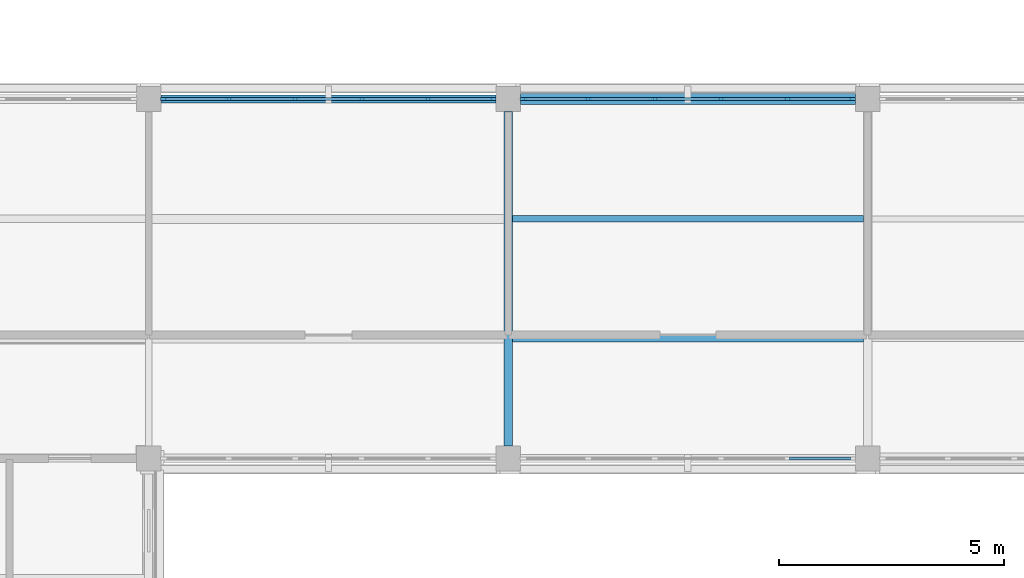
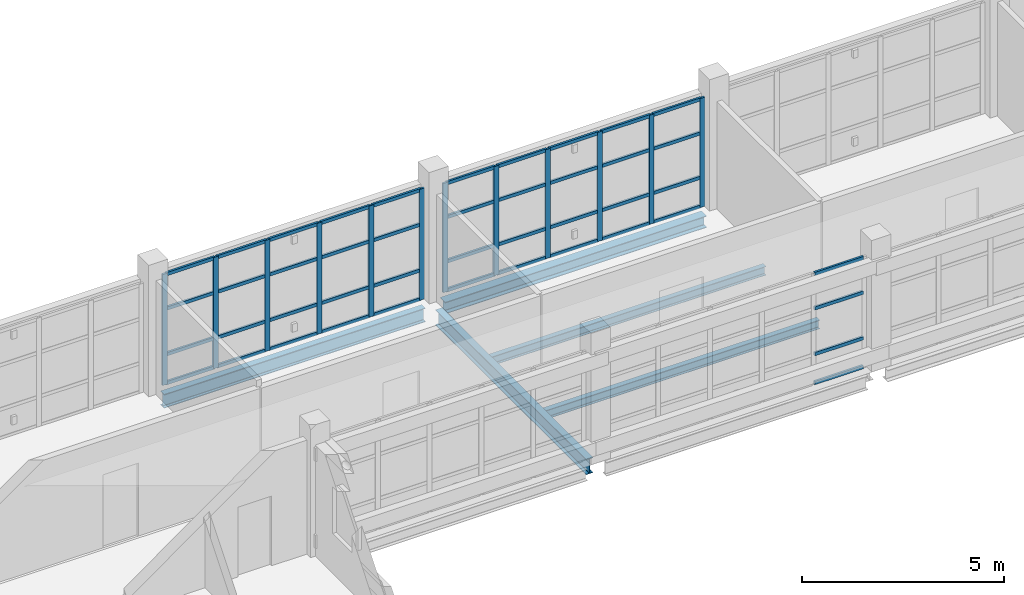
# One storey, part 9 of 92: 56 members, 5 beams, 3 elements without a shape of their own.
"""IFC4 building model written with IfcOpenShell, lengths in metres."""

from ifc_helpers import new_model, si_unit, derived_unit, direction, frame, origin, origin_2d, place, context, subcontext, project, spatial, rectangle, i_section, extrude, material, layer, layer_set, material_profile, profile_set, type_object, element, aggregate, save


model = new_model("IFC4")

# Units and contexts
model_context = context("Model", 3, precision=1e-05, world=origin(), true_north=direction((0.0, 1.0)))
body_context = subcontext(model_context, "Body", "Model", "MODEL_VIEW")
ifc_project = project(units=[si_unit("LENGTHUNIT", "METRE"), si_unit("AREAUNIT", "SQUARE_METRE"), si_unit("VOLUMEUNIT", "CUBIC_METRE"), si_unit("PLANEANGLEUNIT", "RADIAN"), si_unit("MASSUNIT", "GRAM", prefix="KILO"), derived_unit("THERMALTRANSMITTANCEUNIT", [(si_unit("MASSUNIT", "GRAM", prefix="KILO"), 1), (si_unit("TIMEUNIT", "SECOND"), -3), (si_unit("THERMODYNAMICTEMPERATUREUNIT", "KELVIN"), -1)])], contexts=[model_context])

# Site, building, storey
site_placement = place(None, origin())
site = spatial("IfcSite", under=ifc_project, at=site_placement, CompositionType="ELEMENT")
building_placement = place(site_placement, origin())
building = spatial("IfcBuilding", under=site, at=building_placement, Name="Veyamyaing Civic Hall", CompositionType="ELEMENT")
storey_placement = place(building_placement, frame((0.0, 0.0, 17.820068359375)))
storey = spatial("IfcBuildingStorey", under=building, at=storey_placement, Name="L04", CompositionType="ELEMENT", Elevation=17.820068359375)

# Beams
ifc_material_1 = material(Name="Steel ASTM A992", Category="steel")
ifc_material_profile_1 = material_profile(ifc_material_1, i_section(OverallWidth=0.19189453125, OverallDepth=0.462890625, WebThickness=0.010498046875, FlangeThickness=0.017578125, FilletRadius=0.010009765625, at=origin_2d()), Name="W460X89")
ifc_profile_set_1 = profile_set([ifc_material_profile_1], Name="Steel ASTM A992")
beam_type_1 = type_object("IfcBeamType", Name="B-08", PredefinedType="BEAM", material=ifc_profile_set_1)
beam_1_placement = place(storey_placement, frame((24.0, 48.27490234375, -0.466552734375), z_axis=(0.0, 1.0, 0.0), x_axis=(-1.0, 0.0, 0.0)))
element("IfcBeam", 1, at=beam_1_placement, inside=storey, type_object=beam_type_1, Name="Girder B-08 L04 Grid 4 G-H", PredefinedType="BEAM", context=body_context, shape_type="SweptSolid", body=[
    extrude(i_section(OverallWidth=0.19189453125, OverallDepth=0.462890625, WebThickness=0.010498046875, FlangeThickness=0.017578125, FilletRadius=0.010009765625, at=origin_2d()), origin(), (0.0, 0.0, 1.0), 7.4501953125),
])
ifc_material_profile_2 = material_profile(ifc_material_1, i_section(OverallWidth=0.180908203125, OverallDepth=0.4169921875, WebThickness=0.010986328125, FlangeThickness=0.018310546875, FilletRadius=0.010009765625, at=origin_2d()), Name="W410X85")
ifc_profile_set_2 = profile_set([ifc_material_profile_2], Name="Steel ASTM A992")
beam_type_2 = type_object("IfcBeamType", Name="B-19", PredefinedType="SPANDREL", material=ifc_profile_set_2)
beam_2_placement = place(storey_placement, frame((16.27490234375, 56.0, -0.443603515625), z_axis=(1.0, 0.0, 0.0), x_axis=(0.0, 1.0, 0.0)))
element("IfcBeam", 2, at=beam_2_placement, inside=storey, type_object=beam_type_2, Name="Girder B-19 L04 Grid H 3-4", PredefinedType="SPANDREL", context=body_context, shape_type="SweptSolid", body=[
    extrude(i_section(OverallWidth=0.180908203125, OverallDepth=0.4169921875, WebThickness=0.010986328125, FlangeThickness=0.018310546875, FilletRadius=0.010009765625, at=origin_2d()), origin(), (0.0, 0.0, 1.0), 7.4501953125),
])
ifc_material_profile_3 = material_profile(ifc_material_1, i_section(OverallWidth=0.25390625, OverallDepth=0.35302734375, WebThickness=0.009521484375, FlangeThickness=0.016357421875, FilletRadius=0.011962890625, at=origin_2d()), Name="W360X91")
ifc_profile_set_3 = profile_set([ifc_material_profile_3], Name="Steel ASTM A992")
beam_type_3 = type_object("IfcBeamType", Name="B-20", PredefinedType="SPANDREL", material=ifc_profile_set_3)
beam_3_placement = place(storey_placement, frame((24.27490234375, 56.0, -0.41162109375), z_axis=(1.0, 0.0, 0.0), x_axis=(0.0, 1.0, 0.0)))
element("IfcBeam", 3, at=beam_3_placement, inside=storey, type_object=beam_type_3, Name="Girder B-20 L04 Grid H 4-5", PredefinedType="SPANDREL", context=body_context, shape_type="SweptSolid", body=[
    extrude(i_section(OverallWidth=0.25390625, OverallDepth=0.35302734375, WebThickness=0.009521484375, FlangeThickness=0.016357421875, FilletRadius=0.011962890625, at=origin_2d()), origin(), (0.0, 0.0, 1.0), 7.4501953125),
])

# Curtain wall, members
ifc_material_2 = material(Name="Anodised aluminium 6063-T6", Category="aluminium")
ifc_layer = layer(ifc_material_2, 0.139892578125, Name="Anodised aluminium 6063-T6")
ifc_layer_set = layer_set([ifc_layer], Name="Anodised aluminium 6063-T6")
curtain_wall_type = type_object("IfcCurtainWallType", Name="CW-04", PredefinedType="NOTDEFINED", material=ifc_layer_set)
curtain_wall_1_placement = place(storey_placement, origin())
curtain_wall_1 = element("IfcCurtainWall", 4, at=curtain_wall_1_placement, inside=storey, type_object=curtain_wall_type, Name="Unitized curtain wall CW-04 L04 N 3.7", PredefinedType="NOTDEFINED")
ifc_material_profile_4 = material_profile(ifc_material_2, rectangle(XDim=0.06005859375, YDim=0.139892578125, at=origin_2d()), Name="ALU-MUL-60X140")
ifc_profile_set_4 = profile_set([ifc_material_profile_4], Name="Anodised aluminium 6063-T6")
member_type_1 = type_object("IfcMemberType", Name="CWM-03", PredefinedType="MULLION", material=ifc_profile_set_4)
member_1_placement = place(storey_placement, frame((16.3349609375, 56.0, 0.0), z_axis=(0.0, 0.0, 1.0), x_axis=(0.0, 1.0, 0.0)))
member_1 = element("IfcMember", 5, at=member_1_placement, type_object=member_type_1, Name="CW-04 mullion 1", PredefinedType="MULLION", context=body_context, shape_type="SweptSolid", body=[
    extrude(rectangle(XDim=0.06005859375, YDim=0.139892578125, at=origin_2d()), origin(), (0.0, 0.0, 1.0), 3.348876953125),
])
member_2_placement = place(storey_placement, frame((17.782958984375, 56.0, 0.0), z_axis=(0.0, 0.0, 1.0), x_axis=(0.0, 1.0, 0.0)))
member_2 = element("IfcMember", 6, at=member_2_placement, type_object=member_type_1, Name="CW-04 mullion 2", PredefinedType="MULLION", context=body_context, shape_type="SweptSolid", body=[
    extrude(rectangle(XDim=0.06005859375, YDim=0.139892578125, at=origin_2d()), origin(), (0.0, 0.0, 1.0), 3.348876953125),
])
member_3_placement = place(storey_placement, frame((19.260986328125, 56.0, 0.0), z_axis=(0.0, 0.0, 1.0), x_axis=(0.0, 1.0, 0.0)))
member_3 = element("IfcMember", 7, at=member_3_placement, type_object=member_type_1, Name="CW-04 mullion 3", PredefinedType="MULLION", context=body_context, shape_type="SweptSolid", body=[
    extrude(rectangle(XDim=0.06005859375, YDim=0.139892578125, at=origin_2d()), origin(), (0.0, 0.0, 1.0), 3.348876953125),
])
member_4_placement = place(storey_placement, frame((20.739013671875, 56.0, 0.0), z_axis=(0.0, 0.0, 1.0), x_axis=(0.0, 1.0, 0.0)))
member_4 = element("IfcMember", 8, at=member_4_placement, type_object=member_type_1, Name="CW-04 mullion 4", PredefinedType="MULLION", context=body_context, shape_type="SweptSolid", body=[
    extrude(rectangle(XDim=0.06005859375, YDim=0.139892578125, at=origin_2d()), origin(), (0.0, 0.0, 1.0), 3.348876953125),
])
member_5_placement = place(storey_placement, frame((22.217041015625, 56.0, 0.0), z_axis=(0.0, 0.0, 1.0), x_axis=(0.0, 1.0, 0.0)))
member_5 = element("IfcMember", 9, at=member_5_placement, type_object=member_type_1, Name="CW-04 mullion 5", PredefinedType="MULLION", context=body_context, shape_type="SweptSolid", body=[
    extrude(rectangle(XDim=0.06005859375, YDim=0.139892578125, at=origin_2d()), origin(), (0.0, 0.0, 1.0), 3.348876953125),
])
member_6_placement = place(storey_placement, frame((23.6650390625, 56.0, 0.0), z_axis=(0.0, 0.0, 1.0), x_axis=(0.0, 1.0, 0.0)))
member_6 = element("IfcMember", 10, at=member_6_placement, type_object=member_type_1, Name="CW-04 mullion 6", PredefinedType="MULLION", context=body_context, shape_type="SweptSolid", body=[
    extrude(rectangle(XDim=0.06005859375, YDim=0.139892578125, at=origin_2d()), origin(), (0.0, 0.0, 1.0), 3.348876953125),
])

curtain_wall_2_placement = place(storey_placement, origin())
curtain_wall_2 = element("IfcCurtainWall", 11, at=curtain_wall_2_placement, inside=storey, type_object=curtain_wall_type, Name="Unitized curtain wall CW-04 L04 N 4.7", PredefinedType="NOTDEFINED")
member_7_placement = place(storey_placement, frame((24.3349609375, 56.0, 0.0), z_axis=(0.0, 0.0, 1.0), x_axis=(0.0, 1.0, 0.0)))
member_7 = element("IfcMember", 12, at=member_7_placement, type_object=member_type_1, Name="CW-04 mullion 1", PredefinedType="MULLION", context=body_context, shape_type="SweptSolid", body=[
    extrude(rectangle(XDim=0.06005859375, YDim=0.139892578125, at=origin_2d()), origin(), (0.0, 0.0, 1.0), 3.288818359375),
])
member_8_placement = place(storey_placement, frame((25.782958984375, 56.0, 0.0), z_axis=(0.0, 0.0, 1.0), x_axis=(0.0, 1.0, 0.0)))
member_8 = element("IfcMember", 13, at=member_8_placement, type_object=member_type_1, Name="CW-04 mullion 2", PredefinedType="MULLION", context=body_context, shape_type="SweptSolid", body=[
    extrude(rectangle(XDim=0.06005859375, YDim=0.139892578125, at=origin_2d()), origin(), (0.0, 0.0, 1.0), 3.288818359375),
])
member_9_placement = place(storey_placement, frame((27.260986328125, 56.0, 0.0), z_axis=(0.0, 0.0, 1.0), x_axis=(0.0, 1.0, 0.0)))
member_9 = element("IfcMember", 14, at=member_9_placement, type_object=member_type_1, Name="CW-04 mullion 3", PredefinedType="MULLION", context=body_context, shape_type="SweptSolid", body=[
    extrude(rectangle(XDim=0.06005859375, YDim=0.139892578125, at=origin_2d()), origin(), (0.0, 0.0, 1.0), 3.288818359375),
])
member_10_placement = place(storey_placement, frame((28.739013671875, 56.0, 0.0), z_axis=(0.0, 0.0, 1.0), x_axis=(0.0, 1.0, 0.0)))
member_10 = element("IfcMember", 15, at=member_10_placement, type_object=member_type_1, Name="CW-04 mullion 4", PredefinedType="MULLION", context=body_context, shape_type="SweptSolid", body=[
    extrude(rectangle(XDim=0.06005859375, YDim=0.139892578125, at=origin_2d()), origin(), (0.0, 0.0, 1.0), 3.288818359375),
])
member_11_placement = place(storey_placement, frame((30.217041015625, 56.0, 0.0), z_axis=(0.0, 0.0, 1.0), x_axis=(0.0, 1.0, 0.0)))
member_11 = element("IfcMember", 16, at=member_11_placement, type_object=member_type_1, Name="CW-04 mullion 5", PredefinedType="MULLION", context=body_context, shape_type="SweptSolid", body=[
    extrude(rectangle(XDim=0.06005859375, YDim=0.139892578125, at=origin_2d()), origin(), (0.0, 0.0, 1.0), 3.288818359375),
])
member_12_placement = place(storey_placement, frame((31.6650390625, 56.0, 0.0), z_axis=(0.0, 0.0, 1.0), x_axis=(0.0, 1.0, 0.0)))
member_12 = element("IfcMember", 17, at=member_12_placement, type_object=member_type_1, Name="CW-04 mullion 6", PredefinedType="MULLION", context=body_context, shape_type="SweptSolid", body=[
    extrude(rectangle(XDim=0.06005859375, YDim=0.139892578125, at=origin_2d()), origin(), (0.0, 0.0, 1.0), 3.288818359375),
])

# Member
ifc_material_profile_5 = material_profile(ifc_material_2, rectangle(XDim=0.06005859375, YDim=0.10009765625, at=origin_2d()), Name="ALU-TRN-60X100")
ifc_profile_set_5 = profile_set([ifc_material_profile_5], Name="Anodised aluminium 6063-T6")
member_type_2 = type_object("IfcMemberType", Name="CWT-03", PredefinedType="USERDEFINED", material=ifc_profile_set_5)
member_13_placement = place(storey_placement, frame((16.364990234375, 56.0, 0.030029296875), z_axis=(1.0, 0.0, 0.0), x_axis=(0.0, 1.0, 0.0)))
member_13 = element("IfcMember", 18, at=member_13_placement, type_object=member_type_2, Name="CW-04 transom 1.1", ObjectType="TRANSOM", PredefinedType="USERDEFINED", context=body_context, shape_type="SweptSolid", body=[
    extrude(rectangle(XDim=0.06005859375, YDim=0.10009765625, at=origin_2d()), origin(), (0.0, 0.0, 1.0), 1.387939453125),
])

member_14_placement = place(storey_placement, frame((16.364990234375, 56.0, 0.89990234375), z_axis=(1.0, 0.0, 0.0), x_axis=(0.0, 1.0, 0.0)))
member_14 = element("IfcMember", 19, at=member_14_placement, type_object=member_type_2, Name="CW-04 transom 1.2", ObjectType="TRANSOM", PredefinedType="USERDEFINED", context=body_context, shape_type="SweptSolid", body=[
    extrude(rectangle(XDim=0.06005859375, YDim=0.10009765625, at=origin_2d()), origin(), (0.0, 0.0, 1.0), 1.387939453125),
])

member_15_placement = place(storey_placement, frame((16.364990234375, 56.0, 2.27734375), z_axis=(1.0, 0.0, 0.0), x_axis=(0.0, 1.0, 0.0)))
member_15 = element("IfcMember", 20, at=member_15_placement, type_object=member_type_2, Name="CW-04 transom 1.3", ObjectType="TRANSOM", PredefinedType="USERDEFINED", context=body_context, shape_type="SweptSolid", body=[
    extrude(rectangle(XDim=0.06005859375, YDim=0.10009765625, at=origin_2d()), origin(), (0.0, 0.0, 1.0), 1.387939453125),
])

member_16_placement = place(storey_placement, frame((16.364990234375, 56.0, 3.31884765625), z_axis=(1.0, 0.0, 0.0), x_axis=(0.0, 1.0, 0.0)))
member_16 = element("IfcMember", 21, at=member_16_placement, type_object=member_type_2, Name="CW-04 transom 1.4", ObjectType="TRANSOM", PredefinedType="USERDEFINED", context=body_context, shape_type="SweptSolid", body=[
    extrude(rectangle(XDim=0.06005859375, YDim=0.10009765625, at=origin_2d()), origin(), (0.0, 0.0, 1.0), 1.387939453125),
])

member_17_placement = place(storey_placement, frame((17.81298828125, 56.0, 0.030029296875), z_axis=(1.0, 0.0, 0.0), x_axis=(0.0, 1.0, 0.0)))
member_17 = element("IfcMember", 22, at=member_17_placement, type_object=member_type_2, Name="CW-04 transom 2.1", ObjectType="TRANSOM", PredefinedType="USERDEFINED", context=body_context, shape_type="SweptSolid", body=[
    extrude(rectangle(XDim=0.06005859375, YDim=0.10009765625, at=origin_2d()), origin(), (0.0, 0.0, 1.0), 1.41796875),
])

member_18_placement = place(storey_placement, frame((17.81298828125, 56.0, 0.89990234375), z_axis=(1.0, 0.0, 0.0), x_axis=(0.0, 1.0, 0.0)))
member_18 = element("IfcMember", 23, at=member_18_placement, type_object=member_type_2, Name="CW-04 transom 2.2", ObjectType="TRANSOM", PredefinedType="USERDEFINED", context=body_context, shape_type="SweptSolid", body=[
    extrude(rectangle(XDim=0.06005859375, YDim=0.10009765625, at=origin_2d()), origin(), (0.0, 0.0, 1.0), 1.41796875),
])

member_19_placement = place(storey_placement, frame((17.81298828125, 56.0, 2.27734375), z_axis=(1.0, 0.0, 0.0), x_axis=(0.0, 1.0, 0.0)))
member_19 = element("IfcMember", 24, at=member_19_placement, type_object=member_type_2, Name="CW-04 transom 2.3", ObjectType="TRANSOM", PredefinedType="USERDEFINED", context=body_context, shape_type="SweptSolid", body=[
    extrude(rectangle(XDim=0.06005859375, YDim=0.10009765625, at=origin_2d()), origin(), (0.0, 0.0, 1.0), 1.41796875),
])

member_20_placement = place(storey_placement, frame((17.81298828125, 56.0, 3.31884765625), z_axis=(1.0, 0.0, 0.0), x_axis=(0.0, 1.0, 0.0)))
member_20 = element("IfcMember", 25, at=member_20_placement, type_object=member_type_2, Name="CW-04 transom 2.4", ObjectType="TRANSOM", PredefinedType="USERDEFINED", context=body_context, shape_type="SweptSolid", body=[
    extrude(rectangle(XDim=0.06005859375, YDim=0.10009765625, at=origin_2d()), origin(), (0.0, 0.0, 1.0), 1.41796875),
])

member_21_placement = place(storey_placement, frame((19.291015625, 56.0, 0.030029296875), z_axis=(1.0, 0.0, 0.0), x_axis=(0.0, 1.0, 0.0)))
member_21 = element("IfcMember", 26, at=member_21_placement, type_object=member_type_2, Name="CW-04 transom 3.1", ObjectType="TRANSOM", PredefinedType="USERDEFINED", context=body_context, shape_type="SweptSolid", body=[
    extrude(rectangle(XDim=0.06005859375, YDim=0.10009765625, at=origin_2d()), origin(), (0.0, 0.0, 1.0), 1.41796875),
])

member_22_placement = place(storey_placement, frame((19.291015625, 56.0, 0.89990234375), z_axis=(1.0, 0.0, 0.0), x_axis=(0.0, 1.0, 0.0)))
member_22 = element("IfcMember", 27, at=member_22_placement, type_object=member_type_2, Name="CW-04 transom 3.2", ObjectType="TRANSOM", PredefinedType="USERDEFINED", context=body_context, shape_type="SweptSolid", body=[
    extrude(rectangle(XDim=0.06005859375, YDim=0.10009765625, at=origin_2d()), origin(), (0.0, 0.0, 1.0), 1.41796875),
])

member_23_placement = place(storey_placement, frame((19.291015625, 56.0, 2.27734375), z_axis=(1.0, 0.0, 0.0), x_axis=(0.0, 1.0, 0.0)))
member_23 = element("IfcMember", 28, at=member_23_placement, type_object=member_type_2, Name="CW-04 transom 3.3", ObjectType="TRANSOM", PredefinedType="USERDEFINED", context=body_context, shape_type="SweptSolid", body=[
    extrude(rectangle(XDim=0.06005859375, YDim=0.10009765625, at=origin_2d()), origin(), (0.0, 0.0, 1.0), 1.41796875),
])

member_24_placement = place(storey_placement, frame((19.291015625, 56.0, 3.31884765625), z_axis=(1.0, 0.0, 0.0), x_axis=(0.0, 1.0, 0.0)))
member_24 = element("IfcMember", 29, at=member_24_placement, type_object=member_type_2, Name="CW-04 transom 3.4", ObjectType="TRANSOM", PredefinedType="USERDEFINED", context=body_context, shape_type="SweptSolid", body=[
    extrude(rectangle(XDim=0.06005859375, YDim=0.10009765625, at=origin_2d()), origin(), (0.0, 0.0, 1.0), 1.41796875),
])

member_25_placement = place(storey_placement, frame((20.76904296875, 56.0, 0.030029296875), z_axis=(1.0, 0.0, 0.0), x_axis=(0.0, 1.0, 0.0)))
member_25 = element("IfcMember", 30, at=member_25_placement, type_object=member_type_2, Name="CW-04 transom 4.1", ObjectType="TRANSOM", PredefinedType="USERDEFINED", context=body_context, shape_type="SweptSolid", body=[
    extrude(rectangle(XDim=0.06005859375, YDim=0.10009765625, at=origin_2d()), origin(), (0.0, 0.0, 1.0), 1.41796875),
])

member_26_placement = place(storey_placement, frame((20.76904296875, 56.0, 0.89990234375), z_axis=(1.0, 0.0, 0.0), x_axis=(0.0, 1.0, 0.0)))
member_26 = element("IfcMember", 31, at=member_26_placement, type_object=member_type_2, Name="CW-04 transom 4.2", ObjectType="TRANSOM", PredefinedType="USERDEFINED", context=body_context, shape_type="SweptSolid", body=[
    extrude(rectangle(XDim=0.06005859375, YDim=0.10009765625, at=origin_2d()), origin(), (0.0, 0.0, 1.0), 1.41796875),
])

member_27_placement = place(storey_placement, frame((20.76904296875, 56.0, 2.27734375), z_axis=(1.0, 0.0, 0.0), x_axis=(0.0, 1.0, 0.0)))
member_27 = element("IfcMember", 32, at=member_27_placement, type_object=member_type_2, Name="CW-04 transom 4.3", ObjectType="TRANSOM", PredefinedType="USERDEFINED", context=body_context, shape_type="SweptSolid", body=[
    extrude(rectangle(XDim=0.06005859375, YDim=0.10009765625, at=origin_2d()), origin(), (0.0, 0.0, 1.0), 1.41796875),
])

member_28_placement = place(storey_placement, frame((20.76904296875, 56.0, 3.31884765625), z_axis=(1.0, 0.0, 0.0), x_axis=(0.0, 1.0, 0.0)))
member_28 = element("IfcMember", 33, at=member_28_placement, type_object=member_type_2, Name="CW-04 transom 4.4", ObjectType="TRANSOM", PredefinedType="USERDEFINED", context=body_context, shape_type="SweptSolid", body=[
    extrude(rectangle(XDim=0.06005859375, YDim=0.10009765625, at=origin_2d()), origin(), (0.0, 0.0, 1.0), 1.41796875),
])

member_29_placement = place(storey_placement, frame((22.2470703125, 56.0, 0.030029296875), z_axis=(1.0, 0.0, 0.0), x_axis=(0.0, 1.0, 0.0)))
member_29 = element("IfcMember", 34, at=member_29_placement, type_object=member_type_2, Name="CW-04 transom 5.1", ObjectType="TRANSOM", PredefinedType="USERDEFINED", context=body_context, shape_type="SweptSolid", body=[
    extrude(rectangle(XDim=0.06005859375, YDim=0.10009765625, at=origin_2d()), origin(), (0.0, 0.0, 1.0), 1.387939453125),
])

member_30_placement = place(storey_placement, frame((22.2470703125, 56.0, 0.89990234375), z_axis=(1.0, 0.0, 0.0), x_axis=(0.0, 1.0, 0.0)))
member_30 = element("IfcMember", 35, at=member_30_placement, type_object=member_type_2, Name="CW-04 transom 5.2", ObjectType="TRANSOM", PredefinedType="USERDEFINED", context=body_context, shape_type="SweptSolid", body=[
    extrude(rectangle(XDim=0.06005859375, YDim=0.10009765625, at=origin_2d()), origin(), (0.0, 0.0, 1.0), 1.387939453125),
])

member_31_placement = place(storey_placement, frame((22.2470703125, 56.0, 2.27734375), z_axis=(1.0, 0.0, 0.0), x_axis=(0.0, 1.0, 0.0)))
member_31 = element("IfcMember", 36, at=member_31_placement, type_object=member_type_2, Name="CW-04 transom 5.3", ObjectType="TRANSOM", PredefinedType="USERDEFINED", context=body_context, shape_type="SweptSolid", body=[
    extrude(rectangle(XDim=0.06005859375, YDim=0.10009765625, at=origin_2d()), origin(), (0.0, 0.0, 1.0), 1.387939453125),
])

member_32_placement = place(storey_placement, frame((22.2470703125, 56.0, 3.31884765625), z_axis=(1.0, 0.0, 0.0), x_axis=(0.0, 1.0, 0.0)))
member_32 = element("IfcMember", 37, at=member_32_placement, type_object=member_type_2, Name="CW-04 transom 5.4", ObjectType="TRANSOM", PredefinedType="USERDEFINED", context=body_context, shape_type="SweptSolid", body=[
    extrude(rectangle(XDim=0.06005859375, YDim=0.10009765625, at=origin_2d()), origin(), (0.0, 0.0, 1.0), 1.387939453125),
])

aggregate(curtain_wall_1, [member_1, member_2, member_3, member_4, member_5, member_6, member_13, member_14, member_15, member_16, member_17, member_18, member_19, member_20, member_21, member_22, member_23, member_24, member_25, member_26, member_27, member_28, member_29, member_30, member_31, member_32])

# Curtain wall, members
curtain_wall_3_placement = place(storey_placement, origin())
curtain_wall_3 = element("IfcCurtainWall", 38, at=curtain_wall_3_placement, inside=storey, type_object=curtain_wall_type, Name="Unitized curtain wall CW-04 L04 S 4.7", PredefinedType="NOTDEFINED")
member_33_placement = place(storey_placement, frame((30.2470703125, 48.0, 0.030029296875), z_axis=(1.0, 0.0, 0.0), x_axis=(0.0, 1.0, 0.0)))
member_33 = element("IfcMember", 39, at=member_33_placement, type_object=member_type_2, Name="CW-04 transom 5.1", ObjectType="TRANSOM", PredefinedType="USERDEFINED", context=body_context, shape_type="SweptSolid", body=[
    extrude(rectangle(XDim=0.06005859375, YDim=0.10009765625, at=origin_2d()), origin(), (0.0, 0.0, 1.0), 1.387939453125),
])
member_34_placement = place(storey_placement, frame((30.2470703125, 48.0, 0.89990234375), z_axis=(1.0, 0.0, 0.0), x_axis=(0.0, 1.0, 0.0)))
member_34 = element("IfcMember", 40, at=member_34_placement, type_object=member_type_2, Name="CW-04 transom 5.2", ObjectType="TRANSOM", PredefinedType="USERDEFINED", context=body_context, shape_type="SweptSolid", body=[
    extrude(rectangle(XDim=0.06005859375, YDim=0.10009765625, at=origin_2d()), origin(), (0.0, 0.0, 1.0), 1.387939453125),
])
member_35_placement = place(storey_placement, frame((30.2470703125, 48.0, 2.27734375), z_axis=(1.0, 0.0, 0.0), x_axis=(0.0, 1.0, 0.0)))
member_35 = element("IfcMember", 41, at=member_35_placement, type_object=member_type_2, Name="CW-04 transom 5.3", ObjectType="TRANSOM", PredefinedType="USERDEFINED", context=body_context, shape_type="SweptSolid", body=[
    extrude(rectangle(XDim=0.06005859375, YDim=0.10009765625, at=origin_2d()), origin(), (0.0, 0.0, 1.0), 1.387939453125),
])
member_36_placement = place(storey_placement, frame((30.2470703125, 48.0, 3.31884765625), z_axis=(1.0, 0.0, 0.0), x_axis=(0.0, 1.0, 0.0)))
member_36 = element("IfcMember", 42, at=member_36_placement, type_object=member_type_2, Name="CW-04 transom 5.4", ObjectType="TRANSOM", PredefinedType="USERDEFINED", context=body_context, shape_type="SweptSolid", body=[
    extrude(rectangle(XDim=0.06005859375, YDim=0.10009765625, at=origin_2d()), origin(), (0.0, 0.0, 1.0), 1.387939453125),
])
aggregate(curtain_wall_3, [member_33, member_34, member_35, member_36])

# Member
member_37_placement = place(storey_placement, frame((24.364990234375, 56.0, 0.030029296875), z_axis=(1.0, 0.0, 0.0), x_axis=(0.0, 1.0, 0.0)))
member_37 = element("IfcMember", 43, at=member_37_placement, type_object=member_type_2, Name="CW-04 transom 1.1", ObjectType="TRANSOM", PredefinedType="USERDEFINED", context=body_context, shape_type="SweptSolid", body=[
    extrude(rectangle(XDim=0.06005859375, YDim=0.10009765625, at=origin_2d()), origin(), (0.0, 0.0, 1.0), 1.387939453125),
])

member_38_placement = place(storey_placement, frame((24.364990234375, 56.0, 0.89990234375), z_axis=(1.0, 0.0, 0.0), x_axis=(0.0, 1.0, 0.0)))
member_38 = element("IfcMember", 44, at=member_38_placement, type_object=member_type_2, Name="CW-04 transom 1.2", ObjectType="TRANSOM", PredefinedType="USERDEFINED", context=body_context, shape_type="SweptSolid", body=[
    extrude(rectangle(XDim=0.06005859375, YDim=0.10009765625, at=origin_2d()), origin(), (0.0, 0.0, 1.0), 1.387939453125),
])

member_39_placement = place(storey_placement, frame((24.364990234375, 56.0, 2.236328125), z_axis=(1.0, 0.0, 0.0), x_axis=(0.0, 1.0, 0.0)))
member_39 = element("IfcMember", 45, at=member_39_placement, type_object=member_type_2, Name="CW-04 transom 1.3", ObjectType="TRANSOM", PredefinedType="USERDEFINED", context=body_context, shape_type="SweptSolid", body=[
    extrude(rectangle(XDim=0.06005859375, YDim=0.10009765625, at=origin_2d()), origin(), (0.0, 0.0, 1.0), 1.387939453125),
])

member_40_placement = place(storey_placement, frame((24.364990234375, 56.0, 3.259033203125), z_axis=(1.0, 0.0, 0.0), x_axis=(0.0, 1.0, 0.0)))
member_40 = element("IfcMember", 46, at=member_40_placement, type_object=member_type_2, Name="CW-04 transom 1.4", ObjectType="TRANSOM", PredefinedType="USERDEFINED", context=body_context, shape_type="SweptSolid", body=[
    extrude(rectangle(XDim=0.06005859375, YDim=0.10009765625, at=origin_2d()), origin(), (0.0, 0.0, 1.0), 1.387939453125),
])

member_41_placement = place(storey_placement, frame((25.81298828125, 56.0, 0.030029296875), z_axis=(1.0, 0.0, 0.0), x_axis=(0.0, 1.0, 0.0)))
member_41 = element("IfcMember", 47, at=member_41_placement, type_object=member_type_2, Name="CW-04 transom 2.1", ObjectType="TRANSOM", PredefinedType="USERDEFINED", context=body_context, shape_type="SweptSolid", body=[
    extrude(rectangle(XDim=0.06005859375, YDim=0.10009765625, at=origin_2d()), origin(), (0.0, 0.0, 1.0), 1.41796875),
])

member_42_placement = place(storey_placement, frame((25.81298828125, 56.0, 0.89990234375), z_axis=(1.0, 0.0, 0.0), x_axis=(0.0, 1.0, 0.0)))
member_42 = element("IfcMember", 48, at=member_42_placement, type_object=member_type_2, Name="CW-04 transom 2.2", ObjectType="TRANSOM", PredefinedType="USERDEFINED", context=body_context, shape_type="SweptSolid", body=[
    extrude(rectangle(XDim=0.06005859375, YDim=0.10009765625, at=origin_2d()), origin(), (0.0, 0.0, 1.0), 1.41796875),
])

member_43_placement = place(storey_placement, frame((25.81298828125, 56.0, 2.236328125), z_axis=(1.0, 0.0, 0.0), x_axis=(0.0, 1.0, 0.0)))
member_43 = element("IfcMember", 49, at=member_43_placement, type_object=member_type_2, Name="CW-04 transom 2.3", ObjectType="TRANSOM", PredefinedType="USERDEFINED", context=body_context, shape_type="SweptSolid", body=[
    extrude(rectangle(XDim=0.06005859375, YDim=0.10009765625, at=origin_2d()), origin(), (0.0, 0.0, 1.0), 1.41796875),
])

member_44_placement = place(storey_placement, frame((25.81298828125, 56.0, 3.259033203125), z_axis=(1.0, 0.0, 0.0), x_axis=(0.0, 1.0, 0.0)))
member_44 = element("IfcMember", 50, at=member_44_placement, type_object=member_type_2, Name="CW-04 transom 2.4", ObjectType="TRANSOM", PredefinedType="USERDEFINED", context=body_context, shape_type="SweptSolid", body=[
    extrude(rectangle(XDim=0.06005859375, YDim=0.10009765625, at=origin_2d()), origin(), (0.0, 0.0, 1.0), 1.41796875),
])

member_45_placement = place(storey_placement, frame((27.291015625, 56.0, 0.030029296875), z_axis=(1.0, 0.0, 0.0), x_axis=(0.0, 1.0, 0.0)))
member_45 = element("IfcMember", 51, at=member_45_placement, type_object=member_type_2, Name="CW-04 transom 3.1", ObjectType="TRANSOM", PredefinedType="USERDEFINED", context=body_context, shape_type="SweptSolid", body=[
    extrude(rectangle(XDim=0.06005859375, YDim=0.10009765625, at=origin_2d()), origin(), (0.0, 0.0, 1.0), 1.41796875),
])

member_46_placement = place(storey_placement, frame((27.291015625, 56.0, 0.89990234375), z_axis=(1.0, 0.0, 0.0), x_axis=(0.0, 1.0, 0.0)))
member_46 = element("IfcMember", 52, at=member_46_placement, type_object=member_type_2, Name="CW-04 transom 3.2", ObjectType="TRANSOM", PredefinedType="USERDEFINED", context=body_context, shape_type="SweptSolid", body=[
    extrude(rectangle(XDim=0.06005859375, YDim=0.10009765625, at=origin_2d()), origin(), (0.0, 0.0, 1.0), 1.41796875),
])

member_47_placement = place(storey_placement, frame((27.291015625, 56.0, 2.236328125), z_axis=(1.0, 0.0, 0.0), x_axis=(0.0, 1.0, 0.0)))
member_47 = element("IfcMember", 53, at=member_47_placement, type_object=member_type_2, Name="CW-04 transom 3.3", ObjectType="TRANSOM", PredefinedType="USERDEFINED", context=body_context, shape_type="SweptSolid", body=[
    extrude(rectangle(XDim=0.06005859375, YDim=0.10009765625, at=origin_2d()), origin(), (0.0, 0.0, 1.0), 1.41796875),
])

member_48_placement = place(storey_placement, frame((27.291015625, 56.0, 3.259033203125), z_axis=(1.0, 0.0, 0.0), x_axis=(0.0, 1.0, 0.0)))
member_48 = element("IfcMember", 54, at=member_48_placement, type_object=member_type_2, Name="CW-04 transom 3.4", ObjectType="TRANSOM", PredefinedType="USERDEFINED", context=body_context, shape_type="SweptSolid", body=[
    extrude(rectangle(XDim=0.06005859375, YDim=0.10009765625, at=origin_2d()), origin(), (0.0, 0.0, 1.0), 1.41796875),
])

member_49_placement = place(storey_placement, frame((28.76904296875, 56.0, 0.030029296875), z_axis=(1.0, 0.0, 0.0), x_axis=(0.0, 1.0, 0.0)))
member_49 = element("IfcMember", 55, at=member_49_placement, type_object=member_type_2, Name="CW-04 transom 4.1", ObjectType="TRANSOM", PredefinedType="USERDEFINED", context=body_context, shape_type="SweptSolid", body=[
    extrude(rectangle(XDim=0.06005859375, YDim=0.10009765625, at=origin_2d()), origin(), (0.0, 0.0, 1.0), 1.41796875),
])

member_50_placement = place(storey_placement, frame((28.76904296875, 56.0, 0.89990234375), z_axis=(1.0, 0.0, 0.0), x_axis=(0.0, 1.0, 0.0)))
member_50 = element("IfcMember", 56, at=member_50_placement, type_object=member_type_2, Name="CW-04 transom 4.2", ObjectType="TRANSOM", PredefinedType="USERDEFINED", context=body_context, shape_type="SweptSolid", body=[
    extrude(rectangle(XDim=0.06005859375, YDim=0.10009765625, at=origin_2d()), origin(), (0.0, 0.0, 1.0), 1.41796875),
])

member_51_placement = place(storey_placement, frame((28.76904296875, 56.0, 2.236328125), z_axis=(1.0, 0.0, 0.0), x_axis=(0.0, 1.0, 0.0)))
member_51 = element("IfcMember", 57, at=member_51_placement, type_object=member_type_2, Name="CW-04 transom 4.3", ObjectType="TRANSOM", PredefinedType="USERDEFINED", context=body_context, shape_type="SweptSolid", body=[
    extrude(rectangle(XDim=0.06005859375, YDim=0.10009765625, at=origin_2d()), origin(), (0.0, 0.0, 1.0), 1.41796875),
])

member_52_placement = place(storey_placement, frame((28.76904296875, 56.0, 3.259033203125), z_axis=(1.0, 0.0, 0.0), x_axis=(0.0, 1.0, 0.0)))
member_52 = element("IfcMember", 58, at=member_52_placement, type_object=member_type_2, Name="CW-04 transom 4.4", ObjectType="TRANSOM", PredefinedType="USERDEFINED", context=body_context, shape_type="SweptSolid", body=[
    extrude(rectangle(XDim=0.06005859375, YDim=0.10009765625, at=origin_2d()), origin(), (0.0, 0.0, 1.0), 1.41796875),
])

member_53_placement = place(storey_placement, frame((30.2470703125, 56.0, 0.030029296875), z_axis=(1.0, 0.0, 0.0), x_axis=(0.0, 1.0, 0.0)))
member_53 = element("IfcMember", 59, at=member_53_placement, type_object=member_type_2, Name="CW-04 transom 5.1", ObjectType="TRANSOM", PredefinedType="USERDEFINED", context=body_context, shape_type="SweptSolid", body=[
    extrude(rectangle(XDim=0.06005859375, YDim=0.10009765625, at=origin_2d()), origin(), (0.0, 0.0, 1.0), 1.387939453125),
])

member_54_placement = place(storey_placement, frame((30.2470703125, 56.0, 0.89990234375), z_axis=(1.0, 0.0, 0.0), x_axis=(0.0, 1.0, 0.0)))
member_54 = element("IfcMember", 60, at=member_54_placement, type_object=member_type_2, Name="CW-04 transom 5.2", ObjectType="TRANSOM", PredefinedType="USERDEFINED", context=body_context, shape_type="SweptSolid", body=[
    extrude(rectangle(XDim=0.06005859375, YDim=0.10009765625, at=origin_2d()), origin(), (0.0, 0.0, 1.0), 1.387939453125),
])

member_55_placement = place(storey_placement, frame((30.2470703125, 56.0, 2.236328125), z_axis=(1.0, 0.0, 0.0), x_axis=(0.0, 1.0, 0.0)))
member_55 = element("IfcMember", 61, at=member_55_placement, type_object=member_type_2, Name="CW-04 transom 5.3", ObjectType="TRANSOM", PredefinedType="USERDEFINED", context=body_context, shape_type="SweptSolid", body=[
    extrude(rectangle(XDim=0.06005859375, YDim=0.10009765625, at=origin_2d()), origin(), (0.0, 0.0, 1.0), 1.387939453125),
])

member_56_placement = place(storey_placement, frame((30.2470703125, 56.0, 3.259033203125), z_axis=(1.0, 0.0, 0.0), x_axis=(0.0, 1.0, 0.0)))
member_56 = element("IfcMember", 62, at=member_56_placement, type_object=member_type_2, Name="CW-04 transom 5.4", ObjectType="TRANSOM", PredefinedType="USERDEFINED", context=body_context, shape_type="SweptSolid", body=[
    extrude(rectangle(XDim=0.06005859375, YDim=0.10009765625, at=origin_2d()), origin(), (0.0, 0.0, 1.0), 1.387939453125),
])

aggregate(curtain_wall_2, [member_7, member_8, member_9, member_10, member_11, member_12, member_37, member_38, member_39, member_40, member_41, member_42, member_43, member_44, member_45, member_46, member_47, member_48, member_49, member_50, member_51, member_52, member_53, member_54, member_55, member_56])

# Beams
ifc_material_profile_6 = material_profile(ifc_material_1, i_section(OverallWidth=0.14794921875, OverallDepth=0.26611328125, WebThickness=0.007568359375, FlangeThickness=0.012939453125, FilletRadius=0.010009765625, at=origin_2d()), Name="W250X45")
ifc_profile_set_6 = profile_set([ifc_material_profile_6], Name="Steel ASTM A992")
beam_type_4 = type_object("IfcBeamType", Name="J-07", PredefinedType="JOIST", material=ifc_profile_set_6)
for number, where, z_axis, x_axis, name in (
    (63, (24.093994140625, 50.666748046875, -0.3681640625), (1.0, 0.0, 0.0), (0.0, 1.0, 0.0), "Composite floor joist J-07 L04 4.7.1"),
    (64, (24.093994140625, 53.333251953125, -0.3681640625), (1.0, 0.0, 0.0), (0.0, 1.0, 0.0), "Composite floor joist J-07 L04 4.7.2"),
):
    element("IfcBeam", number, at=place(storey_placement, frame(where, z_axis=z_axis, x_axis=x_axis)), inside=storey, type_object=beam_type_4, Name=name, PredefinedType="JOIST", context=body_context, shape_type="SweptSolid", body=[
        extrude(i_section(OverallWidth=0.14794921875, OverallDepth=0.26611328125, WebThickness=0.007568359375, FlangeThickness=0.012939453125, FilletRadius=0.010009765625, at=origin_2d()), origin(), (0.0, 0.0, 1.0), 7.81298828125),
    ])

save(model, "model.ifc")
